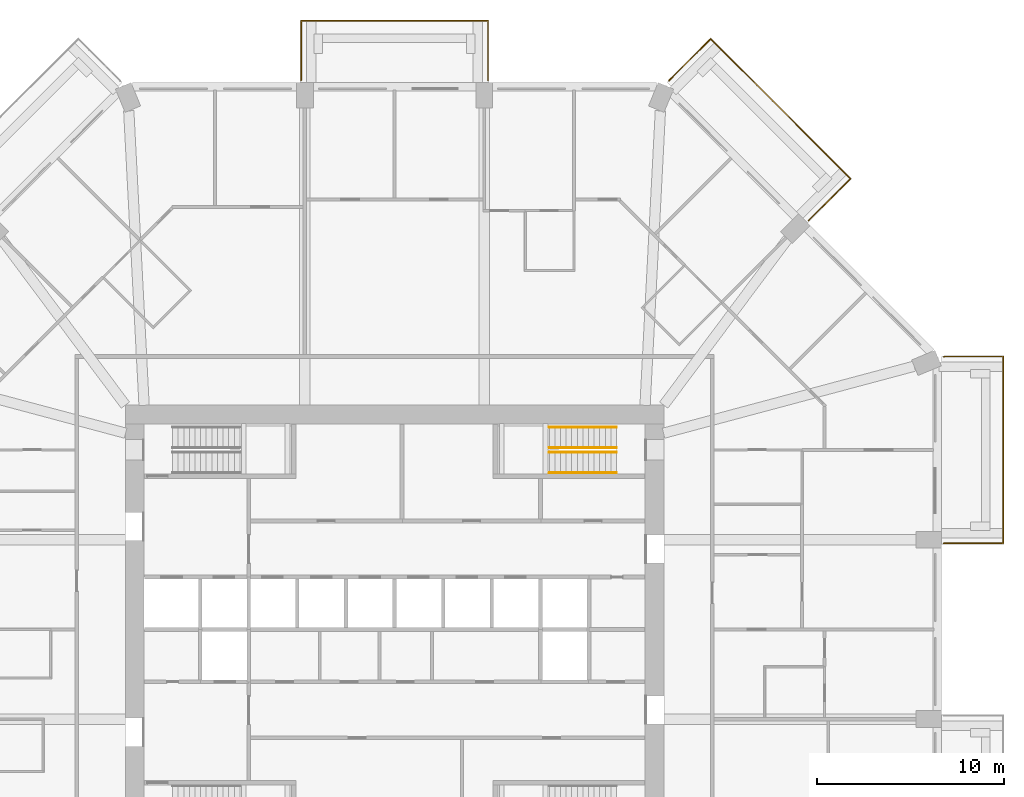
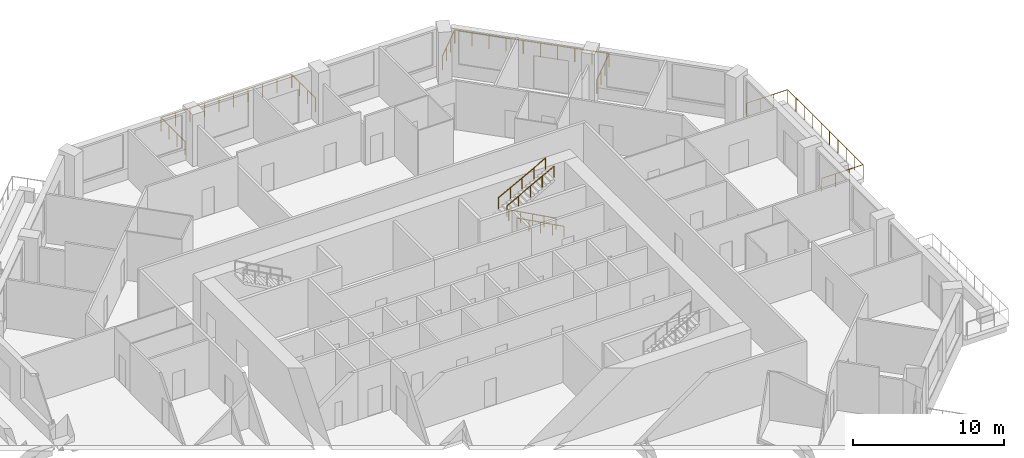
# One storey, part 13 of 13: 7 railings.
"""IFC4 building model written with IfcOpenShell, lengths in metres."""

import ifcopenshell
import ifcopenshell.guid

model = None  # the IFC model being written
_history = None  # IfcOwnerHistory: only IFC2X3 demands one
_inside = {}  # id of a spatial element -> (the spatial element, [elements in it])
_under = {}  # id of a project, library or spatial element -> (it, [spatial elements below it])
_declared = {}  # id of a project -> (the project, [libraries it declares])
_typed = {}  # id of a type object -> (the type object, [elements of that type])
_made_of = {}  # id of a material, layer set ... -> (it, [elements and type objects made of it])


def new_model(schema):
    """Start an empty IFC model of exactly this schema.

    Asked for "IFC4X3", IfcOpenShell would pick the latest addendum, in which some entities
    have other attributes; the version numbers below select the first issue.
    IFC2X3 requires an IfcOwnerHistory on every rooted entity: one is made here for all.
    """
    global model, _history
    if schema == "IFC4X3":
        model = ifcopenshell.file(schema_version=(4, 3, 0, 0))
    else:
        model = ifcopenshell.file(schema=schema)
    _inside.clear()
    _under.clear()
    _declared.clear()
    _typed.clear()
    _made_of.clear()
    _history = None
    if model.schema == "IFC2X3":
        org = make("IfcOrganization", Name="unknown")
        user = make(
            "IfcPersonAndOrganization",
            ThePerson=make("IfcPerson", FamilyName="unknown"),
            TheOrganization=org,
        )
        app = make(
            "IfcApplication",
            ApplicationDeveloper=org,
            Version="unknown",
            ApplicationFullName="unknown",
            ApplicationIdentifier="unknown",
        )
        _history = make(
            "IfcOwnerHistory",
            OwningUser=user,
            OwningApplication=app,
            ChangeAction="ADDED",
            CreationDate=0,
        )
    return model


def make(cls, **values):
    """One entity of the class cls with the attributes given. An attribute that is None is left unset."""
    return model.create_entity(
        cls, **{name: value for name, value in values.items() if value is not None}
    )


def rooted(cls, **values):
    """An entity with a GlobalId (a new one), such as an element, a storey or a relation."""
    return make(cls, GlobalId=ifcopenshell.guid.new(), OwnerHistory=_history, **values)


def si_unit(unit_type, name, prefix=None):
    """IfcSIUnit, for example si_unit("LENGTHUNIT", "METRE", prefix="MILLI")."""
    return make("IfcSIUnit", UnitType=unit_type, Prefix=prefix, Name=name)


def assignment(units):
    """IfcUnitAssignment: the units of a project."""
    return None if units is None else make("IfcUnitAssignment", Units=units)


def point(xyz):
    """IfcCartesianPoint."""
    return None if xyz is None else make("IfcCartesianPoint", Coordinates=xyz)


def direction(xyz):
    """IfcDirection."""
    return None if xyz is None else make("IfcDirection", DirectionRatios=xyz)


def frame(location, z_axis=None, x_axis=None):
    """IfcAxis2Placement3D, a coordinate frame: its origin and axes. An axis left out is left unset."""
    return make(
        "IfcAxis2Placement3D",
        Location=point(location),
        Axis=direction(z_axis),
        RefDirection=direction(x_axis),
    )


def frame_2d(location, x_axis=None):
    """IfcAxis2Placement2D, a coordinate frame in the plane: its origin and x axis."""
    return make(
        "IfcAxis2Placement2D", Location=point(location), RefDirection=direction(x_axis)
    )


def origin():
    """The frame at (0, 0, 0) with its axes left unset."""
    return frame((0.0, 0.0, 0.0))


def origin_2d():
    """The frame at (0, 0) in the plane with its x axis left unset."""
    return frame_2d((0.0, 0.0))


def place(relative_to, where):
    """IfcLocalPlacement: puts the frame where relative to a parent placement (None: the world)."""
    return make(
        "IfcLocalPlacement", PlacementRelTo=relative_to, RelativePlacement=where
    )


def context(
    kind, dimensions, precision=None, world=None, true_north=None, identifier=None
):
    """IfcGeometricRepresentationContext, for example the 3D "Model" context."""
    return make(
        "IfcGeometricRepresentationContext",
        ContextIdentifier=identifier,
        ContextType=kind,
        CoordinateSpaceDimension=dimensions,
        Precision=precision,
        WorldCoordinateSystem=world,
        TrueNorth=true_north,
    )


def subcontext(parent, identifier, kind, view, scale=None):
    """IfcGeometricRepresentationSubContext, for example "Body" below "Model"."""
    return make(
        "IfcGeometricRepresentationSubContext",
        ContextIdentifier=identifier,
        ContextType=kind,
        ParentContext=parent,
        TargetScale=scale,
        TargetView=view,
    )


def project(units=None, contexts=None):
    """IfcProject with its units and contexts."""
    return rooted(
        "IfcProject",
        Name="project",
        RepresentationContexts=contexts,
        UnitsInContext=assignment(units),
    )


def spatial(cls, under=None, at=None, **own):
    """A site, building, storey or space (cls), placed at a placement, below another one or the project."""
    s = rooted(cls, ObjectPlacement=at, **own)
    if under is not None:
        _under.setdefault(under.id(), (under, []))[1].append(s)
    return s


def profile(cls, at=None, kind="AREA", **sizes):
    """A parametric profile (cls). Its sizes go by their IFC names, for example OverallWidth=200.0."""
    return make(cls, ProfileType=kind, Position=at, **sizes)


def circle(**sizes):
    """IfcCircleProfileDef."""
    return profile("IfcCircleProfileDef", **sizes)


def extrude(swept, where, along, depth):
    """IfcExtrudedAreaSolid: the profile swept, set in the frame where, extruded along a direction by depth."""
    return make(
        "IfcExtrudedAreaSolid",
        SweptArea=swept,
        Position=where,
        ExtrudedDirection=direction(along),
        Depth=depth,
    )


def shape(context_of_items, identifier, shape_type, items):
    """IfcShapeRepresentation: the items that make up one representation, for example the "Body"."""
    return make(
        "IfcShapeRepresentation",
        ContextOfItems=context_of_items,
        RepresentationIdentifier=identifier,
        RepresentationType=shape_type,
        Items=items,
    )


def material(Name=None, Category=None):
    """IfcMaterial."""
    return make("IfcMaterial", Name=Name, Category=Category)


def constituent(of_material, Name=None, Category=None, fraction=None):
    """IfcMaterialConstituent: one of the materials an element consists of."""
    return make(
        "IfcMaterialConstituent",
        Name=Name,
        Material=of_material,
        Fraction=fraction,
        Category=Category,
    )


def constituent_set(constituents=None, Name=None):
    """IfcMaterialConstituentSet."""
    return make(
        "IfcMaterialConstituentSet", Name=Name, MaterialConstituents=constituents
    )


def made_of(thing, what):
    """Note that an element or type object is made of a material, layer set ...; save() writes the relation."""
    if what is not None:
        _made_of.setdefault(what.id(), (what, []))[1].append(thing)
    return thing


def type_object(cls, material=None, **own):
    """A type object (cls), such as IfcWallType, which elements share."""
    return made_of(rooted(cls, **own), material)


def element(
    cls,
    number,
    at=None,
    inside=None,
    cuts=None,
    type_object=None,
    material=None,
    context=None,
    identifier="Body",
    shape_type=None,
    held_by="IfcProductDefinitionShape",
    body=None,
    shapes=None,
    **own,
):
    """One element of the class cls, such as IfcWall. Its Tag is "e" and its number.

    at: its placement. inside: the storey or other place that contains it. cuts: it is an
    opening in that element (IfcRelVoidsElement). A single representation is given by context,
    identifier, shape_type and body (its items); several are given by shapes. held_by: the class
    of the entity that holds the representations. save() writes the other relations.
    """
    e = rooted(cls, Tag="e%d" % number, ObjectPlacement=at, **own)
    if body is not None:
        shapes = [shape(context, identifier, shape_type, body)]
    if shapes is not None:
        e.Representation = make(held_by, Representations=shapes)
    if inside is not None:
        _inside.setdefault(inside.id(), (inside, []))[1].append(e)
    if cuts is not None:
        rooted(
            "IfcRelVoidsElement", RelatingBuildingElement=cuts, RelatedOpeningElement=e
        )
    if type_object is not None:
        _typed.setdefault(type_object.id(), (type_object, []))[1].append(e)
    return made_of(e, material)


def aggregate(whole, parts):
    """IfcRelAggregates: a whole, such as a stair, and the parts it consists of."""
    return rooted("IfcRelAggregates", RelatingObject=whole, RelatedObjects=parts)


def save(model, path):
    """Write the relations noted so far, then the file.

    IfcRelAggregates (storeys below a building ...), IfcRelContainedInSpatialStructure (elements
    in a storey), IfcRelDefinesByType, IfcRelAssociatesMaterial and IfcRelDeclares: one each for
    every whole, place, type object, material and project.
    """
    for whole, parts in _under.values():
        aggregate(whole, parts)
    for where, things in _inside.values():
        rooted(
            "IfcRelContainedInSpatialStructure",
            RelatedElements=things,
            RelatingStructure=where,
        )
    for kind, things in _typed.values():
        rooted("IfcRelDefinesByType", RelatedObjects=things, RelatingType=kind)
    for what, things in _made_of.values():
        rooted("IfcRelAssociatesMaterial", RelatedObjects=things, RelatingMaterial=what)
    for by, libraries in _declared.values():
        rooted("IfcRelDeclares", RelatingContext=by, RelatedDefinitions=libraries)
    model.write(path)


model = new_model("IFC4")

# Units and contexts
model_context = context("Model", 3, precision=1e-05, world=origin(), true_north=direction((0.0, 1.0)))
body_context = subcontext(model_context, "Body", "Model", "MODEL_VIEW")
ifc_project = project(units=[si_unit("LENGTHUNIT", "METRE"), si_unit("AREAUNIT", "SQUARE_METRE"), si_unit("VOLUMEUNIT", "CUBIC_METRE"), si_unit("PLANEANGLEUNIT", "RADIAN"), si_unit("MASSUNIT", "GRAM", prefix="KILO")], contexts=[model_context])

# Site, building, storey
site_placement = place(None, origin())
site = spatial("IfcSite", under=ifc_project, at=site_placement, CompositionType="ELEMENT")
building_placement = place(site_placement, origin())
building = spatial("IfcBuilding", under=site, at=building_placement, Name="Msitu Wima Residences", CompositionType="ELEMENT")
storey_placement = place(building_placement, frame((0.0, 0.0, 63.300048828125)))
storey = spatial("IfcBuildingStorey", under=building, at=storey_placement, Name="L14", CompositionType="ELEMENT", Elevation=63.300048828125)

# Railings
ifc_material_1 = material(Name="Steel S355", Category="steel")
ifc_constituent_1 = constituent(ifc_material_1, Name="Steel S355")
ifc_material_2 = material(Name="Weathering patina")
ifc_constituent_2 = constituent(ifc_material_2, Name="Weathering patina")
ifc_constituent_set_1 = constituent_set(constituents=[ifc_constituent_1, ifc_constituent_2], Name="Steel S355")
railing_type_1 = type_object("IfcRailingType", Name="Balcony guard GR1100", PredefinedType="GUARDRAIL", material=ifc_constituent_set_1)
railing_1_placement = place(storey_placement, frame((29.3798828125, 14.586181640625, 0.0)))
element("IfcRailing", 1, at=railing_1_placement, inside=storey, type_object=railing_type_1, Name="Balcony guard E2 L14", PredefinedType="GUARDRAIL", context=body_context, shape_type="SweptSolid", body=[
    extrude(circle(Radius=0.02392578125, at=origin_2d()), frame((0.0, 0.0, 1.076171875), z_axis=(0.92426142649, 0.38176015442, 0.0), x_axis=(-0.38176015442, 0.92426142649, 0.0)), (0.0, 0.0, 1.0), 0.036376953125),
    extrude(circle(Radius=0.02392578125, at=origin_2d()), frame((0.03369140625, 0.013916015625, 1.076171875), z_axis=(1.0, 0.0, 0.0), x_axis=(0.0, 1.0, 0.0)), (0.0, 0.0, 1.0), 3.136474609375),
    extrude(circle(Radius=0.02392578125, at=origin_2d()), frame((3.170166015625, 0.013916015625, 1.076171875), z_axis=(0.0, -1.0, 0.0), x_axis=(1.0, 0.0, 0.0)), (0.0, 0.0, 1.0), 10.0),
    extrude(circle(Radius=0.02392578125, at=origin_2d()), frame((3.170166015625, -9.986083984375, 1.076171875), z_axis=(-1.0, 0.0, 0.0), x_axis=(0.0, -1.0, 0.0)), (0.0, 0.0, 1.0), 3.170166015625),
    extrude(circle(Radius=0.02099609375, at=origin_2d()), origin(), (0.0, 0.0, 1.0), 1.052001953125),
    extrude(circle(Radius=0.02099609375, at=origin_2d()), frame((0.03369140625, 0.013916015625, 0.0)), (0.0, 0.0, 1.0), 1.052001953125),
    extrude(circle(Radius=0.02099609375, at=origin_2d()), frame((1.0791015625, 0.013916015625, 0.0)), (0.0, 0.0, 1.0), 1.052001953125),
    extrude(circle(Radius=0.02099609375, at=origin_2d()), frame((2.124755859375, 0.013916015625, 0.0)), (0.0, 0.0, 1.0), 1.052001953125),
    extrude(circle(Radius=0.02099609375, at=origin_2d()), frame((3.170166015625, 0.013916015625, 0.0)), (0.0, 0.0, 1.0), 1.052001953125),
    extrude(circle(Radius=0.02099609375, at=origin_2d()), frame((3.170166015625, -1.09716796875, 0.0)), (0.0, 0.0, 1.0), 1.052001953125),
    extrude(circle(Radius=0.02099609375, at=origin_2d()), frame((3.170166015625, -2.208251953125, 0.0)), (0.0, 0.0, 1.0), 1.052001953125),
    extrude(circle(Radius=0.02099609375, at=origin_2d()), frame((3.170166015625, -3.3193359375, 0.0)), (0.0, 0.0, 1.0), 1.052001953125),
    extrude(circle(Radius=0.02099609375, at=origin_2d()), frame((3.170166015625, -4.430419921875, 0.0)), (0.0, 0.0, 1.0), 1.052001953125),
    extrude(circle(Radius=0.02099609375, at=origin_2d()), frame((3.170166015625, -5.541748046875, 0.0)), (0.0, 0.0, 1.0), 1.052001953125),
    extrude(circle(Radius=0.02099609375, at=origin_2d()), frame((3.170166015625, -6.65283203125, 0.0)), (0.0, 0.0, 1.0), 1.052001953125),
    extrude(circle(Radius=0.02099609375, at=origin_2d()), frame((3.170166015625, -7.763916015625, 0.0)), (0.0, 0.0, 1.0), 1.052001953125),
    extrude(circle(Radius=0.02099609375, at=origin_2d()), frame((3.170166015625, -8.875, 0.0)), (0.0, 0.0, 1.0), 1.052001953125),
    extrude(circle(Radius=0.02099609375, at=origin_2d()), frame((3.170166015625, -9.986083984375, 0.0)), (0.0, 0.0, 1.0), 1.052001953125),
    extrude(circle(Radius=0.02099609375, at=origin_2d()), frame((2.113525390625, -9.986083984375, 0.0)), (0.0, 0.0, 1.0), 1.052001953125),
    extrude(circle(Radius=0.02099609375, at=origin_2d()), frame((1.056640625, -9.986083984375, 0.0)), (0.0, 0.0, 1.0), 1.052001953125),
    extrude(circle(Radius=0.02099609375, at=origin_2d()), frame((0.0, -9.986083984375, 0.0)), (0.0, 0.0, 1.0), 1.052001953125),
])
railing_2_placement = place(storey_placement, frame((14.678466796875, 29.341796875, 0.0)))
element("IfcRailing", 2, at=railing_2_placement, inside=storey, type_object=railing_type_1, Name="Balcony guard NE1 L14", PredefinedType="GUARDRAIL", context=body_context, shape_type="SweptSolid", body=[
    extrude(circle(Radius=0.02392578125, at=origin_2d()), frame((0.0, 0.0, 1.076171875), z_axis=(0.384136806859, 0.923276184907, 0.0), x_axis=(-0.923276184907, 0.384136806859, 0.0)), (0.0, 0.0, 1.0), 0.0361328125),
    extrude(circle(Radius=0.02392578125, at=origin_2d()), frame((0.013916015625, 0.033447265625, 1.076171875), z_axis=(0.707106781187, 0.707106781187, 0.0), x_axis=(-0.707106781187, 0.707106781187, 0.0)), (0.0, 0.0, 1.0), 3.136474609375),
    extrude(circle(Radius=0.02392578125, at=origin_2d()), frame((2.231689453125, 2.251220703125, 1.076171875), z_axis=(0.707118316465, -0.70709524572, 0.0), x_axis=(0.70709524572, 0.707118316465, 0.0)), (0.0, 0.0, 1.0), 10.582275390625),
    extrude(circle(Radius=0.02392578125, at=origin_2d()), frame((9.714599609375, -5.2314453125, 1.076171875), z_axis=(-0.707068272989, -0.707145287287, 0.0), x_axis=(0.707145287287, -0.707068272989, 0.0)), (0.0, 0.0, 1.0), 3.170166015625),
    extrude(circle(Radius=0.02099609375, at=origin_2d()), origin(), (0.0, 0.0, 1.0), 1.052001953125),
    extrude(circle(Radius=0.02099609375, at=origin_2d()), frame((0.013916015625, 0.033447265625, 0.0)), (0.0, 0.0, 1.0), 1.052001953125),
    extrude(circle(Radius=0.02099609375, at=origin_2d()), frame((0.753173828125, 0.772705078125, 0.0)), (0.0, 0.0, 1.0), 1.052001953125),
    extrude(circle(Radius=0.02099609375, at=origin_2d()), frame((1.492431640625, 1.511962890625, 0.0)), (0.0, 0.0, 1.0), 1.052001953125),
    extrude(circle(Radius=0.02099609375, at=origin_2d()), frame((2.231689453125, 2.251220703125, 0.0)), (0.0, 0.0, 1.0), 1.052001953125),
    extrude(circle(Radius=0.02099609375, at=origin_2d()), frame((3.063232421875, 1.419921875, 0.0)), (0.0, 0.0, 1.0), 1.052001953125),
    extrude(circle(Radius=0.02099609375, at=origin_2d()), frame((3.89453125, 0.58837890625, 0.0)), (0.0, 0.0, 1.0), 1.052001953125),
    extrude(circle(Radius=0.02099609375, at=origin_2d()), frame((4.72607421875, -0.242919921875, 0.0)), (0.0, 0.0, 1.0), 1.052001953125),
    extrude(circle(Radius=0.02099609375, at=origin_2d()), frame((5.557373046875, -1.074462890625, 0.0)), (0.0, 0.0, 1.0), 1.052001953125),
    extrude(circle(Radius=0.02099609375, at=origin_2d()), frame((6.388916015625, -1.90576171875, 0.0)), (0.0, 0.0, 1.0), 1.052001953125),
    extrude(circle(Radius=0.02099609375, at=origin_2d()), frame((7.22021484375, -2.7373046875, 0.0)), (0.0, 0.0, 1.0), 1.052001953125),
    extrude(circle(Radius=0.02099609375, at=origin_2d()), frame((8.0517578125, -3.568603515625, 0.0)), (0.0, 0.0, 1.0), 1.052001953125),
    extrude(circle(Radius=0.02099609375, at=origin_2d()), frame((8.883056640625, -4.400146484375, 0.0)), (0.0, 0.0, 1.0), 1.052001953125),
    extrude(circle(Radius=0.02099609375, at=origin_2d()), frame((9.714599609375, -5.2314453125, 0.0)), (0.0, 0.0, 1.0), 1.052001953125),
    extrude(circle(Radius=0.02099609375, at=origin_2d()), frame((8.967529296875, -5.978759765625, 0.0)), (0.0, 0.0, 1.0), 1.052001953125),
    extrude(circle(Radius=0.02099609375, at=origin_2d()), frame((8.22021484375, -6.725830078125, 0.0)), (0.0, 0.0, 1.0), 1.052001953125),
    extrude(circle(Radius=0.02099609375, at=origin_2d()), frame((7.47314453125, -7.47314453125, 0.0)), (0.0, 0.0, 1.0), 1.052001953125),
])
railing_3_placement = place(storey_placement, frame((-5.0, 29.3798828125, 0.0)))
element("IfcRailing", 3, at=railing_3_placement, inside=storey, type_object=railing_type_1, Name="Balcony guard N1 L14", PredefinedType="GUARDRAIL", context=body_context, shape_type="SweptSolid", body=[
    extrude(circle(Radius=0.02392578125, at=origin_2d()), frame((0.0, 0.0, 1.076171875), z_axis=(0.0, 1.0, 0.0), x_axis=(-1.0, 0.0, 0.0)), (0.0, 0.0, 1.0), 3.170166015625),
    extrude(circle(Radius=0.02392578125, at=origin_2d()), frame((0.0, 3.170166015625, 1.076171875), z_axis=(1.0, 0.0, 0.0), x_axis=(0.0, 1.0, 0.0)), (0.0, 0.0, 1.0), 10.0),
    extrude(circle(Radius=0.02392578125, at=origin_2d()), frame((10.0, 3.170166015625, 1.076171875), z_axis=(0.0, -1.0, 0.0), x_axis=(1.0, 0.0, 0.0)), (0.0, 0.0, 1.0), 3.170166015625),
    extrude(circle(Radius=0.02099609375, at=origin_2d()), origin(), (0.0, 0.0, 1.0), 1.052001953125),
    extrude(circle(Radius=0.02099609375, at=origin_2d()), frame((0.0, 1.056640625, 0.0)), (0.0, 0.0, 1.0), 1.052001953125),
    extrude(circle(Radius=0.02099609375, at=origin_2d()), frame((0.0, 2.113525390625, 0.0)), (0.0, 0.0, 1.0), 1.052001953125),
    extrude(circle(Radius=0.02099609375, at=origin_2d()), frame((0.0, 3.170166015625, 0.0)), (0.0, 0.0, 1.0), 1.052001953125),
    extrude(circle(Radius=0.02099609375, at=origin_2d()), frame((1.111083984375, 3.170166015625, 0.0)), (0.0, 0.0, 1.0), 1.052001953125),
    extrude(circle(Radius=0.02099609375, at=origin_2d()), frame((2.22216796875, 3.170166015625, 0.0)), (0.0, 0.0, 1.0), 1.052001953125),
    extrude(circle(Radius=0.02099609375, at=origin_2d()), frame((3.333251953125, 3.170166015625, 0.0)), (0.0, 0.0, 1.0), 1.052001953125),
    extrude(circle(Radius=0.02099609375, at=origin_2d()), frame((4.4443359375, 3.170166015625, 0.0)), (0.0, 0.0, 1.0), 1.052001953125),
    extrude(circle(Radius=0.02099609375, at=origin_2d()), frame((5.5556640625, 3.170166015625, 0.0)), (0.0, 0.0, 1.0), 1.052001953125),
    extrude(circle(Radius=0.02099609375, at=origin_2d()), frame((6.666748046875, 3.170166015625, 0.0)), (0.0, 0.0, 1.0), 1.052001953125),
    extrude(circle(Radius=0.02099609375, at=origin_2d()), frame((7.77783203125, 3.170166015625, 0.0)), (0.0, 0.0, 1.0), 1.052001953125),
    extrude(circle(Radius=0.02099609375, at=origin_2d()), frame((8.888916015625, 3.170166015625, 0.0)), (0.0, 0.0, 1.0), 1.052001953125),
    extrude(circle(Radius=0.02099609375, at=origin_2d()), frame((10.0, 3.170166015625, 0.0)), (0.0, 0.0, 1.0), 1.052001953125),
    extrude(circle(Radius=0.02099609375, at=origin_2d()), frame((10.0, 2.113525390625, 0.0)), (0.0, 0.0, 1.0), 1.052001953125),
    extrude(circle(Radius=0.02099609375, at=origin_2d()), frame((10.0, 1.056640625, 0.0)), (0.0, 0.0, 1.0), 1.052001953125),
    extrude(circle(Radius=0.02099609375, at=origin_2d()), frame((10.0, 0.0, 0.0)), (0.0, 0.0, 1.0), 1.052001953125),
])
ifc_constituent_3 = constituent(ifc_material_1, Name="Steel S355")
ifc_material_3 = material(Name="Black powder coating")
ifc_constituent_4 = constituent(ifc_material_3, Name="Black powder coating")
ifc_constituent_set_2 = constituent_set(constituents=[ifc_constituent_3, ifc_constituent_4], Name="Steel S355")
railing_type_2 = type_object("IfcRailingType", Name="Stair handrail HR1", PredefinedType="HANDRAIL", material=ifc_constituent_set_2)
for number, where, name in (
    (4, (11.875, 8.375, 0.161376953125), "Stair 3 handrail"),
    (5, (11.875, 9.47509765625, 0.161376953125), "Stair 3 handrail"),
):
    element("IfcRailing", number, at=place(storey_placement, frame(where)), inside=storey, type_object=railing_type_2, Name=name, PredefinedType="HANDRAIL", context=body_context, shape_type="SweptSolid", body=[
        extrude(circle(Radius=0.02392578125, at=origin_2d()), frame((0.0, 0.0, 0.8759765625), z_axis=(-0.880474934443, 0.0, 0.474092701714), x_axis=(0.0, -1.0, 0.0)), (0.0, 0.0, 1.0), 4.0888671875),
        extrude(circle(Radius=0.02099609375, at=origin_2d()), origin(), (0.0, 0.0, 1.0), 0.851806640625),
        extrude(circle(Radius=0.02099609375, at=origin_2d()), frame((-0.89990234375, 0.0, 0.484619140625)), (0.0, 0.0, 1.0), 0.851806640625),
        extrude(circle(Radius=0.02099609375, at=origin_2d()), frame((-1.800048828125, 0.0, 0.96923828125)), (0.0, 0.0, 1.0), 0.851806640625),
        extrude(circle(Radius=0.02099609375, at=origin_2d()), frame((-2.7001953125, 0.0, 1.453857421875)), (0.0, 0.0, 1.0), 0.851806640625),
        extrude(circle(Radius=0.02099609375, at=origin_2d()), frame((-3.60009765625, 0.0, 1.9384765625)), (0.0, 0.0, 1.0), 0.851806640625),
    ])
for number, where, name in (
    (6, (8.27490234375, 9.72509765625, 2.261474609375), "Stair 3 handrail"),
    (7, (8.27490234375, 10.824951171875, 2.261474609375), "Stair 3 handrail"),
):
    element("IfcRailing", number, at=place(storey_placement, frame(where)), inside=storey, type_object=railing_type_2, Name=name, PredefinedType="HANDRAIL", context=body_context, shape_type="SweptSolid", body=[
        extrude(circle(Radius=0.02392578125, at=origin_2d()), frame((0.0, 0.0, 0.8759765625), z_axis=(0.880474934443, 0.0, 0.474092701714), x_axis=(0.0, 1.0, 0.0)), (0.0, 0.0, 1.0), 4.0888671875),
        extrude(circle(Radius=0.02099609375, at=origin_2d()), origin(), (0.0, 0.0, 1.0), 0.851806640625),
        extrude(circle(Radius=0.02099609375, at=origin_2d()), frame((0.89990234375, 0.0, 0.484619140625)), (0.0, 0.0, 1.0), 0.851806640625),
        extrude(circle(Radius=0.02099609375, at=origin_2d()), frame((1.800048828125, 0.0, 0.96923828125)), (0.0, 0.0, 1.0), 0.851806640625),
        extrude(circle(Radius=0.02099609375, at=origin_2d()), frame((2.7001953125, 0.0, 1.453857421875)), (0.0, 0.0, 1.0), 0.851806640625),
        extrude(circle(Radius=0.02099609375, at=origin_2d()), frame((3.60009765625, 0.0, 1.9384765625)), (0.0, 0.0, 1.0), 0.851806640625),
    ])

save(model, "model.ifc")
